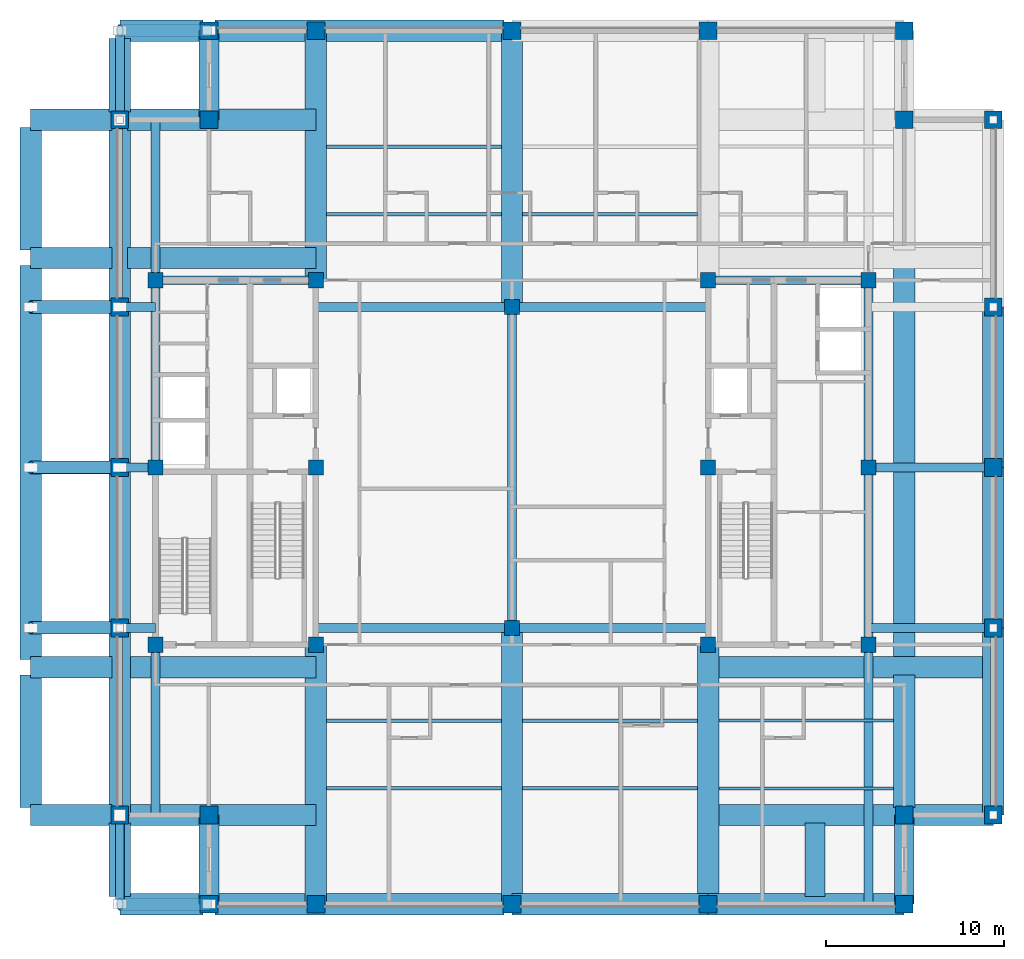
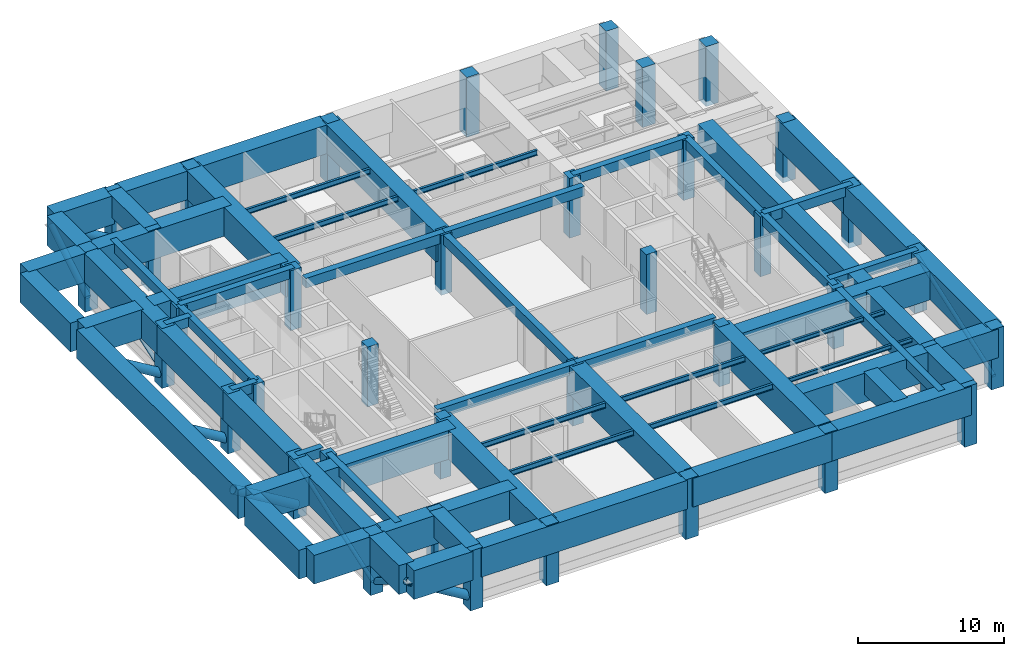
# One storey, part 1 of 11: 66 beams, 38 columns, 10 members.
"""IFC4 building model written with IfcOpenShell, lengths in metres."""

from ifc_helpers import new_model, si_unit, direction, frame, origin, origin_2d, place, context, subcontext, project, spatial, rectangle, hollow_circle, i_section, extrude, material, material_profile, profile_set, type_object, element, save


model = new_model("IFC4")

# Units and contexts
model_context = context("Model", 3, precision=1e-05, world=origin(), true_north=direction((0.0, 1.0)))
body_context = subcontext(model_context, "Body", "Model", "MODEL_VIEW")
ifc_project = project(units=[si_unit("LENGTHUNIT", "METRE"), si_unit("AREAUNIT", "SQUARE_METRE"), si_unit("VOLUMEUNIT", "CUBIC_METRE"), si_unit("PLANEANGLEUNIT", "RADIAN"), si_unit("MASSUNIT", "GRAM", prefix="KILO")], contexts=[model_context])

# Site, building, storey
site_placement = place(None, origin())
site = spatial("IfcSite", under=ifc_project, at=site_placement, CompositionType="ELEMENT")
building_placement = place(site_placement, origin())
building = spatial("IfcBuilding", under=site, at=building_placement, Name="Zulmaris Gate Convention Tower", CompositionType="ELEMENT")
storey_placement = place(building_placement, frame((0.0, 0.0, 186.4599609375)))
storey = spatial("IfcBuildingStorey", under=building, at=storey_placement, Name="L48", CompositionType="ELEMENT", Elevation=186.4599609375)

# Columns
ifc_material_1 = material(Name="Concrete C60/75", Category="concrete")
ifc_material_profile_1 = material_profile(ifc_material_1, rectangle(XDim=1.0, YDim=1.0, at=origin_2d()), Name="RC COL 1000x1000")
ifc_profile_set_1 = profile_set([ifc_material_profile_1], Name="Concrete C60/75")
column_type_1 = type_object("IfcColumnType", Name="COL-RC1000", PredefinedType="COLUMN", material=ifc_profile_set_1)
for number, where, z_axis, x_axis, name in (
    (1, (-17.0, -24.5, -0.425048828125), (0.0, 0.0, 1.0), (1.0, 0.0, 0.0), "L48 Column PT--17.00_-24.50"),
    (2, (-11.0, -24.5, -0.425048828125), (0.0, 0.0, 1.0), (1.0, 0.0, 0.0), "L48 Column PT--11.00_-24.50"),
    (3, (0.0, -24.5, -0.425048828125), (0.0, 0.0, 1.0), (1.0, 0.0, 0.0), "L48 Column PT-+0.00_-24.50"),
    (4, (11.0, -24.5, -0.425048828125), (0.0, 0.0, 1.0), (1.0, 0.0, 0.0), "L48 Column PT-+11.00_-24.50"),
    (5, (22.0, -24.5, -0.425048828125), (0.0, 0.0, 1.0), (1.0, 0.0, 0.0), "L48 Column PT-+22.00_-24.50"),
    (6, (-17.0, 24.5, -0.425048828125), (0.0, 0.0, 1.0), (1.0, 0.0, 0.0), "L48 Column PT--17.00_+24.50"),
    (7, (-11.0, 24.5, -0.425048828125), (0.0, 0.0, 1.0), (1.0, 0.0, 0.0), "L48 Column PT--11.00_+24.50"),
    (8, (0.0, 24.5, -0.425048828125), (0.0, 0.0, 1.0), (1.0, 0.0, 0.0), "L48 Column PT-+0.00_+24.50"),
    (9, (11.0, 24.5, -0.425048828125), (0.0, 0.0, 1.0), (1.0, 0.0, 0.0), "L48 Column PT-+11.00_+24.50"),
    (10, (22.0, 24.5, -0.425048828125), (0.0, 0.0, 1.0), (1.0, 0.0, 0.0), "L48 Column PT-+22.00_+24.50"),
    (11, (-22.0, -19.5, -0.425048828125), (0.0, 0.0, 1.0), (1.0, 0.0, 0.0), "L48 Column PT--22.00_-19.50"),
    (12, (-22.0, -9.0, -0.425048828125), (0.0, 0.0, 1.0), (1.0, 0.0, 0.0), "L48 Column PT--22.00_-9.00"),
    (13, (-22.0, 0.0, -0.425048828125), (0.0, 0.0, 1.0), (1.0, 0.0, 0.0), "L48 Column PT--22.00_+0.00"),
    (14, (-22.0, 9.0, -0.425048828125), (0.0, 0.0, 1.0), (1.0, 0.0, 0.0), "L48 Column PT--22.00_+9.00"),
    (15, (-22.0, 19.5, -0.425048828125), (0.0, 0.0, 1.0), (1.0, 0.0, 0.0), "L48 Column PT--22.00_+19.50"),
    (16, (27.0, -19.5, -0.425048828125), (0.0, 0.0, 1.0), (1.0, 0.0, 0.0), "L48 Column PT-+27.00_-19.50"),
    (17, (27.0, -9.0, -0.425048828125), (0.0, 0.0, 1.0), (1.0, 0.0, 0.0), "L48 Column PT-+27.00_-9.00"),
    (18, (27.0, 0.0, -0.425048828125), (0.0, 0.0, 1.0), (1.0, 0.0, 0.0), "L48 Column PT-+27.00_+0.00"),
    (19, (27.0, 9.0, -0.425048828125), (0.0, 0.0, 1.0), (1.0, 0.0, 0.0), "L48 Column PT-+27.00_+9.00"),
    (20, (27.0, 19.5, -0.425048828125), (0.0, 0.0, 1.0), (1.0, 0.0, 0.0), "L48 Column PT-+27.00_+19.50"),
    (21, (-17.0, -19.5, -0.425048828125), (0.0, 0.0, 1.0), (1.0, 0.0, 0.0), "L48 Column PT--17.00_-19.50"),
    (22, (22.0, -19.5, -0.425048828125), (0.0, 0.0, 1.0), (1.0, 0.0, 0.0), "L48 Column PT-+22.00_-19.50"),
    (23, (22.0, 19.5, -0.425048828125), (0.0, 0.0, 1.0), (1.0, 0.0, 0.0), "L48 Column PT-+22.00_+19.50"),
    (24, (-17.0, 19.5, -0.425048828125), (0.0, 0.0, 1.0), (1.0, 0.0, 0.0), "L48 Column PT--17.00_+19.50"),
):
    element("IfcColumn", number, at=place(storey_placement, frame(where, z_axis=z_axis, x_axis=x_axis)), inside=storey, type_object=column_type_1, Name=name, PredefinedType="COLUMN", context=body_context, shape_type="SweptSolid", body=[
        extrude(rectangle(XDim=1.0, YDim=1.0, at=origin_2d()), origin(), (0.0, 0.0, 1.0), 5.0),
    ])
ifc_material_profile_2 = material_profile(ifc_material_1, rectangle(XDim=0.85009765625, YDim=0.85009765625, at=origin_2d()), Name="RC COL 850x850")
ifc_profile_set_2 = profile_set([ifc_material_profile_2], Name="Concrete C60/75")
column_type_2 = type_object("IfcColumnType", Name="COL-RC850", PredefinedType="COLUMN", material=ifc_profile_set_2)
for number, where, z_axis, x_axis, name in (
    (25, (-20.0, -9.949951171875, -0.425048828125), (0.0, 0.0, 1.0), (1.0, 0.0, 0.0), "L48 Column IN--20.00_-9.95"),
    (26, (-20.0, 10.5, -0.425048828125), (0.0, 0.0, 1.0), (1.0, 0.0, 0.0), "L48 Column IN--20.00_+10.50"),
    (27, (-11.0, -9.949951171875, -0.425048828125), (0.0, 0.0, 1.0), (1.0, 0.0, 0.0), "L48 Column IN--11.00_-9.95"),
    (28, (-11.0, 0.0, -0.425048828125), (0.0, 0.0, 1.0), (1.0, 0.0, 0.0), "L48 Column IN--11.00_+0.00"),
    (29, (-11.0, 10.5, -0.425048828125), (0.0, 0.0, 1.0), (1.0, 0.0, 0.0), "L48 Column IN--11.00_+10.50"),
    (30, (11.0, -9.949951171875, -0.425048828125), (0.0, 0.0, 1.0), (1.0, 0.0, 0.0), "L48 Column IN-+11.00_-9.95"),
    (31, (11.0, 0.0, -0.425048828125), (0.0, 0.0, 1.0), (1.0, 0.0, 0.0), "L48 Column IN-+11.00_+0.00"),
    (32, (11.0, 10.5, -0.425048828125), (0.0, 0.0, 1.0), (1.0, 0.0, 0.0), "L48 Column IN-+11.00_+10.50"),
    (33, (20.0, -9.949951171875, -0.425048828125), (0.0, 0.0, 1.0), (1.0, 0.0, 0.0), "L48 Column IN-+20.00_-9.95"),
    (34, (20.0, 10.5, -0.425048828125), (0.0, 0.0, 1.0), (1.0, 0.0, 0.0), "L48 Column IN-+20.00_+10.50"),
    (35, (0.0, -9.0, -0.425048828125), (0.0, 0.0, 1.0), (1.0, 0.0, 0.0), "L48 Column IN-+0.00_-9.00"),
    (36, (0.0, 9.0, -0.425048828125), (0.0, 0.0, 1.0), (1.0, 0.0, 0.0), "L48 Column IN-+0.00_+9.00"),
    (37, (-20.0, 0.0, -0.425048828125), (0.0, 0.0, 1.0), (1.0, 0.0, 0.0), "L48 Column IN--20.00_+0.00"),
    (38, (20.0, 0.0, -0.425048828125), (0.0, 0.0, 1.0), (1.0, 0.0, 0.0), "L48 Column IN-+20.00_+0.00"),
):
    element("IfcColumn", number, at=place(storey_placement, frame(where, z_axis=z_axis, x_axis=x_axis)), inside=storey, type_object=column_type_2, Name=name, PredefinedType="COLUMN", context=body_context, shape_type="SweptSolid", body=[
        extrude(rectangle(XDim=0.85009765625, YDim=0.85009765625, at=origin_2d()), origin(), (0.0, 0.0, 1.0), 5.0),
    ])

# Beams
ifc_material_2 = material(Name="Concrete C50/60", Category="concrete")
ifc_material_profile_3 = material_profile(ifc_material_2, rectangle(XDim=0.5, YDim=0.800048828125, at=origin_2d()), Name="RC BEAM 500x800")
ifc_profile_set_3 = profile_set([ifc_material_profile_3], Name="Concrete C50/60")
beam_type_1 = type_object("IfcBeamType", Name="BM-RC500x800", PredefinedType="BEAM", material=ifc_profile_set_3)
for number, where, z_axis, x_axis, name in (
    (39, (-11.0, -9.0, 4.175048828125), (1.0, 0.0, 0.0), (0.0, 1.0, 0.0), "L48 Beam BM-L48-G01"),
    (40, (0.0, -9.0, 4.175048828125), (1.0, 0.0, 0.0), (0.0, 1.0, 0.0), "L48 Beam BM-L48-G02"),
    (41, (-11.0, 9.0, 4.175048828125), (1.0, 0.0, 0.0), (0.0, 1.0, 0.0), "L48 Beam BM-L48-G03"),
    (42, (0.0, 9.0, 4.175048828125), (1.0, 0.0, 0.0), (0.0, 1.0, 0.0), "L48 Beam BM-L48-G04"),
):
    element("IfcBeam", number, at=place(storey_placement, frame(where, z_axis=z_axis, x_axis=x_axis)), inside=storey, type_object=beam_type_1, Name=name, PredefinedType="BEAM", context=body_context, shape_type="SweptSolid", body=[
        extrude(rectangle(XDim=0.5, YDim=0.800048828125, at=origin_2d()), origin(), (0.0, 0.0, 1.0), 11.0),
    ])
beam_1_placement = place(storey_placement, frame((0.0, -9.0, 4.175048828125), z_axis=(0.0, 1.0, 0.0), x_axis=(-1.0, 0.0, 0.0)))
element("IfcBeam", 43, at=beam_1_placement, inside=storey, type_object=beam_type_1, Name="L48 Beam BM-L48-G06", PredefinedType="BEAM", context=body_context, shape_type="SweptSolid", body=[
    extrude(rectangle(XDim=0.5, YDim=0.800048828125, at=origin_2d()), origin(), (0.0, 0.0, 1.0), 18.0),
])
beam_2_placement = place(storey_placement, frame((-20.0, -19.5, 4.175048828125), z_axis=(0.0, 1.0, 0.0), x_axis=(-1.0, 0.0, 0.0)))
element("IfcBeam", 44, at=beam_2_placement, inside=storey, type_object=beam_type_1, Name="L48 Beam BM-L48-G12", PredefinedType="BEAM", context=body_context, shape_type="SweptSolid", body=[
    extrude(rectangle(XDim=0.5, YDim=0.800048828125, at=origin_2d()), origin(), (0.0, 0.0, 1.0), 9.550048828125),
])
beam_3_placement = place(storey_placement, frame((-20.0, 10.5, 4.175048828125), z_axis=(0.0, 1.0, 0.0), x_axis=(-1.0, 0.0, 0.0)))
element("IfcBeam", 45, at=beam_3_placement, inside=storey, type_object=beam_type_1, Name="L48 Beam BM-L48-G13", PredefinedType="BEAM", context=body_context, shape_type="SweptSolid", body=[
    extrude(rectangle(XDim=0.5, YDim=0.800048828125, at=origin_2d()), origin(), (0.0, 0.0, 1.0), 9.0),
])
beam_4_placement = place(storey_placement, frame((20.0, -24.5, 4.175048828125), z_axis=(0.0, 1.0, 0.0), x_axis=(-1.0, 0.0, 0.0)))
element("IfcBeam", 46, at=beam_4_placement, inside=storey, type_object=beam_type_1, Name="L48 Beam BM-L48-G14", PredefinedType="BEAM", context=body_context, shape_type="SweptSolid", body=[
    extrude(rectangle(XDim=0.5, YDim=0.800048828125, at=origin_2d()), origin(), (0.0, 0.0, 1.0), 14.550048828125),
])
for number, where, z_axis, x_axis, name in (
    (47, (-22.0, -9.0, 4.175048828125), (1.0, 0.0, 0.0), (0.0, 1.0, 0.0), "L48 Beam BM-L48-G16"),
    (48, (-22.0, 0.0, 4.175048828125), (1.0, 0.0, 0.0), (0.0, 1.0, 0.0), "L48 Beam BM-L48-G17"),
    (49, (-22.0, 9.0, 4.175048828125), (1.0, 0.0, 0.0), (0.0, 1.0, 0.0), "L48 Beam BM-L48-G18"),
):
    element("IfcBeam", number, at=place(storey_placement, frame(where, z_axis=z_axis, x_axis=x_axis)), inside=storey, type_object=beam_type_1, Name=name, PredefinedType="BEAM", context=body_context, shape_type="SweptSolid", body=[
        extrude(rectangle(XDim=0.5, YDim=0.800048828125, at=origin_2d()), origin(), (0.0, 0.0, 1.0), 2.0),
    ])
for number, where, z_axis, x_axis, name in (
    (50, (20.0, -9.0, 4.175048828125), (1.0, 0.0, 0.0), (0.0, 1.0, 0.0), "L48 Beam BM-L48-G19"),
    (51, (20.0, 0.0, 4.175048828125), (1.0, 0.0, 0.0), (0.0, 1.0, 0.0), "L48 Beam BM-L48-G20"),
):
    element("IfcBeam", number, at=place(storey_placement, frame(where, z_axis=z_axis, x_axis=x_axis)), inside=storey, type_object=beam_type_1, Name=name, PredefinedType="BEAM", context=body_context, shape_type="SweptSolid", body=[
        extrude(rectangle(XDim=0.5, YDim=0.800048828125, at=origin_2d()), origin(), (0.0, 0.0, 1.0), 7.0),
    ])
for number, where, z_axis, x_axis, name in (
    (52, (-20.0, 10.5, 4.175048828125), (1.0, 0.0, 0.0), (0.0, 1.0, 0.0), "L48 Beam BM-L48-G23"),
    (53, (11.0, 10.5, 4.175048828125), (1.0, 0.0, 0.0), (0.0, 1.0, 0.0), "L48 Beam BM-L48-G25"),
):
    element("IfcBeam", number, at=place(storey_placement, frame(where, z_axis=z_axis, x_axis=x_axis)), inside=storey, type_object=beam_type_1, Name=name, PredefinedType="BEAM", context=body_context, shape_type="SweptSolid", body=[
        extrude(rectangle(XDim=0.5, YDim=0.800048828125, at=origin_2d()), origin(), (0.0, 0.0, 1.0), 9.0),
    ])
beam_5_placement = place(storey_placement, frame((-20.0, 0.0, 4.175048828125), z_axis=(0.0, 1.0, 0.0), x_axis=(-1.0, 0.0, 0.0)))
element("IfcBeam", 54, at=beam_5_placement, inside=storey, type_object=beam_type_1, Name="L48 Beam BM-L48-G27", PredefinedType="BEAM", context=body_context, shape_type="SweptSolid", body=[
    extrude(rectangle(XDim=0.5, YDim=0.800048828125, at=origin_2d()), origin(), (0.0, 0.0, 1.0), 10.5),
])
beam_6_placement = place(storey_placement, frame((20.0, -9.949951171875, 4.175048828125), z_axis=(0.0, 1.0, 0.0), x_axis=(-1.0, 0.0, 0.0)))
element("IfcBeam", 55, at=beam_6_placement, inside=storey, type_object=beam_type_1, Name="L48 Beam BM-L48-G28", PredefinedType="BEAM", context=body_context, shape_type="SweptSolid", body=[
    extrude(rectangle(XDim=0.5, YDim=0.800048828125, at=origin_2d()), origin(), (0.0, 0.0, 1.0), 9.949951171875),
])
beam_7_placement = place(storey_placement, frame((20.0, 0.0, 4.175048828125), z_axis=(0.0, 1.0, 0.0), x_axis=(-1.0, 0.0, 0.0)))
element("IfcBeam", 56, at=beam_7_placement, inside=storey, type_object=beam_type_1, Name="L48 Beam BM-L48-G29", PredefinedType="BEAM", context=body_context, shape_type="SweptSolid", body=[
    extrude(rectangle(XDim=0.5, YDim=0.800048828125, at=origin_2d()), origin(), (0.0, 0.0, 1.0), 10.5),
])
ifc_material_3 = material(Name="Concrete C80/95", Category="concrete")
ifc_material_profile_4 = material_profile(ifc_material_3, rectangle(XDim=1.10009765625, YDim=1.800048828125, at=origin_2d()), Name="RC TRANSFER 1100x1800")
ifc_profile_set_4 = profile_set([ifc_material_profile_4], Name="Concrete C80/95")
beam_type_2 = type_object("IfcBeamType", Name="BM-XFER1800", PredefinedType="BEAM", material=ifc_profile_set_4)
for number, where, z_axis, x_axis, name in (
    (57, (-17.0, -24.5, 3.675048828125), (0.0, 1.0, 0.0), (-1.0, 0.0, 0.0), "L48 Beam XFCOLV-L48-CXWS"),
    (58, (-17.0, 19.5, 3.675048828125), (0.0, 1.0, 0.0), (-1.0, 0.0, 0.0), "L48 Beam XFCOLV-L48-CXWN"),
    (59, (22.0, -24.5, 3.675048828125), (0.0, 1.0, 0.0), (-1.0, 0.0, 0.0), "L48 Beam XFCOLV-L48-CXES"),
):
    element("IfcBeam", number, at=place(storey_placement, frame(where, z_axis=z_axis, x_axis=x_axis)), inside=storey, type_object=beam_type_2, Name=name, PredefinedType="BEAM", context=body_context, shape_type="SweptSolid", body=[
        extrude(rectangle(XDim=1.10009765625, YDim=1.800048828125, at=origin_2d()), origin(), (0.0, 0.0, 1.0), 5.0),
    ])
beam_8_placement = place(storey_placement, frame((17.0, -24.06494140625, 3.675048828125), z_axis=(0.0, 1.0, 0.0), x_axis=(-1.0, 0.0, 0.0)))
element("IfcBeam", 60, at=beam_8_placement, inside=storey, type_object=beam_type_2, Name="L48 Beam XFNCH-L48-EC--19.5", PredefinedType="BEAM", context=body_context, shape_type="SweptSolid", body=[
    extrude(rectangle(XDim=1.10009765625, YDim=1.800048828125, at=origin_2d()), origin(), (0.0, 0.0, 1.0), 4.1298828125),
])
ifc_material_profile_5 = material_profile(ifc_material_3, rectangle(XDim=1.199951171875, YDim=2.39990234375, at=origin_2d()), Name="RC TRANSFER 1200x2400")
ifc_profile_set_5 = profile_set([ifc_material_profile_5], Name="Concrete C80/95")
beam_type_3 = type_object("IfcBeamType", Name="BM-XFER2400", PredefinedType="BEAM", material=ifc_profile_set_5)
beam_9_placement = place(storey_placement, frame((-22.0, -19.5, 3.375), z_axis=(0.0, 1.0, 0.0), x_axis=(-1.0, 0.0, 0.0)))
element("IfcBeam", 61, at=beam_9_placement, inside=storey, type_object=beam_type_3, Name="L48 Beam XFCOLV-L48-XWS", PredefinedType="BEAM", context=body_context, shape_type="SweptSolid", body=[
    extrude(rectangle(XDim=1.199951171875, YDim=2.39990234375, at=origin_2d()), origin(), (0.0, 0.0, 1.0), 10.5),
])
for number, where, z_axis, x_axis, name in (
    (62, (-22.0, -9.0, 3.375), (0.0, 1.0, 0.0), (-1.0, 0.0, 0.0), "L48 Beam XFCOLV-L48-XWM1"),
    (63, (-22.0, 0.0, 3.375), (0.0, 1.0, 0.0), (-1.0, 0.0, 0.0), "L48 Beam XFCOLV-L48-XWM2"),
):
    element("IfcBeam", number, at=place(storey_placement, frame(where, z_axis=z_axis, x_axis=x_axis)), inside=storey, type_object=beam_type_3, Name=name, PredefinedType="BEAM", context=body_context, shape_type="SweptSolid", body=[
        extrude(rectangle(XDim=1.199951171875, YDim=2.39990234375, at=origin_2d()), origin(), (0.0, 0.0, 1.0), 9.0),
    ])
for number, where, z_axis, x_axis, name in (
    (64, (-22.0, 9.0, 3.375), (0.0, 1.0, 0.0), (-1.0, 0.0, 0.0), "L48 Beam XFCOLV-L48-XWN"),
    (65, (27.0, -19.5, 3.375), (0.0, 1.0, 0.0), (-1.0, 0.0, 0.0), "L48 Beam XFCOLV-L48-XES"),
):
    element("IfcBeam", number, at=place(storey_placement, frame(where, z_axis=z_axis, x_axis=x_axis)), inside=storey, type_object=beam_type_3, Name=name, PredefinedType="BEAM", context=body_context, shape_type="SweptSolid", body=[
        extrude(rectangle(XDim=1.199951171875, YDim=2.39990234375, at=origin_2d()), origin(), (0.0, 0.0, 1.0), 10.5),
    ])
for number, where, z_axis, x_axis, name in (
    (66, (27.0, -9.0, 3.375), (0.0, 1.0, 0.0), (-1.0, 0.0, 0.0), "L48 Beam XFCOLV-L48-XEM1"),
    (67, (27.0, 0.0, 3.375), (0.0, 1.0, 0.0), (-1.0, 0.0, 0.0), "L48 Beam XFCOLV-L48-XEM2"),
):
    element("IfcBeam", number, at=place(storey_placement, frame(where, z_axis=z_axis, x_axis=x_axis)), inside=storey, type_object=beam_type_3, Name=name, PredefinedType="BEAM", context=body_context, shape_type="SweptSolid", body=[
        extrude(rectangle(XDim=1.199951171875, YDim=2.39990234375, at=origin_2d()), origin(), (0.0, 0.0, 1.0), 9.0),
    ])
beam_10_placement = place(storey_placement, frame((-11.0, -24.5, 3.375), z_axis=(0.0, 1.0, 0.0), x_axis=(-1.0, 0.0, 0.0)))
element("IfcBeam", 68, at=beam_10_placement, inside=storey, type_object=beam_type_3, Name="L48 Beam XFCOLV-L48-C11WS", PredefinedType="BEAM", context=body_context, shape_type="SweptSolid", body=[
    extrude(rectangle(XDim=1.199951171875, YDim=2.39990234375, at=origin_2d()), origin(), (0.0, 0.0, 1.0), 14.550048828125),
])
beam_11_placement = place(storey_placement, frame((-11.0, 10.5, 3.375), z_axis=(0.0, 1.0, 0.0), x_axis=(-1.0, 0.0, 0.0)))
element("IfcBeam", 69, at=beam_11_placement, inside=storey, type_object=beam_type_3, Name="L48 Beam XFCOLV-L48-C11WN", PredefinedType="BEAM", context=body_context, shape_type="SweptSolid", body=[
    extrude(rectangle(XDim=1.199951171875, YDim=2.39990234375, at=origin_2d()), origin(), (0.0, 0.0, 1.0), 14.0),
])
beam_12_placement = place(storey_placement, frame((11.0, -24.5, 3.375), z_axis=(0.0, 1.0, 0.0), x_axis=(-1.0, 0.0, 0.0)))
element("IfcBeam", 70, at=beam_12_placement, inside=storey, type_object=beam_type_3, Name="L48 Beam XFCOLV-L48-C11ES", PredefinedType="BEAM", context=body_context, shape_type="SweptSolid", body=[
    extrude(rectangle(XDim=1.199951171875, YDim=2.39990234375, at=origin_2d()), origin(), (0.0, 0.0, 1.0), 14.550048828125),
])
for number, where, z_axis, x_axis, name in (
    (71, (0.0, -24.5, 3.375), (0.0, 1.0, 0.0), (-1.0, 0.0, 0.0), "L48 Beam XFCOLV-L48-C0S"),
    (72, (0.0, 9.0, 3.375), (0.0, 1.0, 0.0), (-1.0, 0.0, 0.0), "L48 Beam XFCOLV-L48-C0N"),
):
    element("IfcBeam", number, at=place(storey_placement, frame(where, z_axis=z_axis, x_axis=x_axis)), inside=storey, type_object=beam_type_3, Name=name, PredefinedType="BEAM", context=body_context, shape_type="SweptSolid", body=[
        extrude(rectangle(XDim=1.199951171875, YDim=2.39990234375, at=origin_2d()), origin(), (0.0, 0.0, 1.0), 15.5),
    ])
beam_13_placement = place(storey_placement, frame((-21.56494140625, -19.5, 3.375), z_axis=(1.0, 0.0, 0.0), x_axis=(0.0, 1.0, 0.0)))
element("IfcBeam", 73, at=beam_13_placement, inside=storey, type_object=beam_type_3, Name="L48 Beam XFBS-L48-W--19.50", PredefinedType="BEAM", context=body_context, shape_type="SweptSolid", body=[
    extrude(rectangle(XDim=1.199951171875, YDim=2.39990234375, at=origin_2d()), origin(), (0.0, 0.0, 1.0), 10.56494140625),
])
beam_14_placement = place(storey_placement, frame((-27.0, -19.5, 3.375), z_axis=(1.0, 0.0, 0.0), x_axis=(0.0, 1.0, 0.0)))
element("IfcBeam", 74, at=beam_14_placement, inside=storey, type_object=beam_type_3, Name="L48 Beam XFSF-L48-W--19.50", PredefinedType="BEAM", context=body_context, shape_type="SweptSolid", body=[
    extrude(rectangle(XDim=1.199951171875, YDim=2.39990234375, at=origin_2d()), origin(), (0.0, 0.0, 1.0), 4.56494140625),
])
beam_15_placement = place(storey_placement, frame((-21.56494140625, -11.199951171875, 3.375), z_axis=(1.0, 0.0, 0.0), x_axis=(0.0, 1.0, 0.0)))
element("IfcBeam", 75, at=beam_15_placement, inside=storey, type_object=beam_type_3, Name="L48 Beam XFBS-L48-W--11.20", PredefinedType="BEAM", context=body_context, shape_type="SweptSolid", body=[
    extrude(rectangle(XDim=1.199951171875, YDim=2.39990234375, at=origin_2d()), origin(), (0.0, 0.0, 1.0), 10.56494140625),
])
beam_16_placement = place(storey_placement, frame((-27.0, -11.199951171875, 3.375), z_axis=(1.0, 0.0, 0.0), x_axis=(0.0, 1.0, 0.0)))
element("IfcBeam", 76, at=beam_16_placement, inside=storey, type_object=beam_type_3, Name="L48 Beam XFSF-L48-W--11.20", PredefinedType="BEAM", context=body_context, shape_type="SweptSolid", body=[
    extrude(rectangle(XDim=1.199951171875, YDim=2.39990234375, at=origin_2d()), origin(), (0.0, 0.0, 1.0), 4.56494140625),
])
beam_17_placement = place(storey_placement, frame((-21.56494140625, 11.75, 3.375), z_axis=(1.0, 0.0, 0.0), x_axis=(0.0, 1.0, 0.0)))
element("IfcBeam", 77, at=beam_17_placement, inside=storey, type_object=beam_type_3, Name="L48 Beam XFBS-L48-W-+11.75", PredefinedType="BEAM", context=body_context, shape_type="SweptSolid", body=[
    extrude(rectangle(XDim=1.199951171875, YDim=2.39990234375, at=origin_2d()), origin(), (0.0, 0.0, 1.0), 10.56494140625),
])
beam_18_placement = place(storey_placement, frame((-27.0, 11.75, 3.375), z_axis=(1.0, 0.0, 0.0), x_axis=(0.0, 1.0, 0.0)))
element("IfcBeam", 78, at=beam_18_placement, inside=storey, type_object=beam_type_3, Name="L48 Beam XFSF-L48-W-+11.75", PredefinedType="BEAM", context=body_context, shape_type="SweptSolid", body=[
    extrude(rectangle(XDim=1.199951171875, YDim=2.39990234375, at=origin_2d()), origin(), (0.0, 0.0, 1.0), 4.56494140625),
])
beam_19_placement = place(storey_placement, frame((-21.56494140625, 19.5, 3.375), z_axis=(1.0, 0.0, 0.0), x_axis=(0.0, 1.0, 0.0)))
element("IfcBeam", 79, at=beam_19_placement, inside=storey, type_object=beam_type_3, Name="L48 Beam XFBS-L48-W-+19.50", PredefinedType="BEAM", context=body_context, shape_type="SweptSolid", body=[
    extrude(rectangle(XDim=1.199951171875, YDim=2.39990234375, at=origin_2d()), origin(), (0.0, 0.0, 1.0), 10.56494140625),
])
beam_20_placement = place(storey_placement, frame((-27.0, 19.5, 3.375), z_axis=(1.0, 0.0, 0.0), x_axis=(0.0, 1.0, 0.0)))
element("IfcBeam", 80, at=beam_20_placement, inside=storey, type_object=beam_type_3, Name="L48 Beam XFSF-L48-W-+19.50", PredefinedType="BEAM", context=body_context, shape_type="SweptSolid", body=[
    extrude(rectangle(XDim=1.199951171875, YDim=2.39990234375, at=origin_2d()), origin(), (0.0, 0.0, 1.0), 4.56494140625),
])
beam_21_placement = place(storey_placement, frame((-27.0, -19.06494140625, 3.375), z_axis=(0.0, 1.0, 0.0), x_axis=(-1.0, 0.0, 0.0)))
element("IfcBeam", 81, at=beam_21_placement, inside=storey, type_object=beam_type_3, Name="L48 Beam XFEDG-L48-WS", PredefinedType="BEAM", context=body_context, shape_type="SweptSolid", body=[
    extrude(rectangle(XDim=1.199951171875, YDim=2.39990234375, at=origin_2d()), origin(), (0.0, 0.0, 1.0), 7.429931640625),
])
beam_22_placement = place(storey_placement, frame((-27.0, -10.764892578125, 3.375), z_axis=(0.0, 1.0, 0.0), x_axis=(-1.0, 0.0, 0.0)))
element("IfcBeam", 82, at=beam_22_placement, inside=storey, type_object=beam_type_3, Name="L48 Beam XFEDG-L48-WM", PredefinedType="BEAM", context=body_context, shape_type="SweptSolid", body=[
    extrude(rectangle(XDim=1.199951171875, YDim=2.39990234375, at=origin_2d()), origin(), (0.0, 0.0, 1.0), 22.079833984375),
])
beam_23_placement = place(storey_placement, frame((-27.0, 12.18505859375, 3.375), z_axis=(0.0, 1.0, 0.0), x_axis=(-1.0, 0.0, 0.0)))
element("IfcBeam", 83, at=beam_23_placement, inside=storey, type_object=beam_type_3, Name="L48 Beam XFEDG-L48-WN", PredefinedType="BEAM", context=body_context, shape_type="SweptSolid", body=[
    extrude(rectangle(XDim=1.199951171875, YDim=2.39990234375, at=origin_2d()), origin(), (0.0, 0.0, 1.0), 6.8798828125),
])
beam_24_placement = place(storey_placement, frame((-16.6650390625, -24.5, 3.375), z_axis=(1.0, 0.0, 0.0), x_axis=(0.0, 1.0, 0.0)))
element("IfcBeam", 84, at=beam_24_placement, inside=storey, type_object=beam_type_3, Name="L48 Beam XFBS-L48-WC--24.5", PredefinedType="BEAM", context=body_context, shape_type="SweptSolid", body=[
    extrude(rectangle(XDim=1.199951171875, YDim=2.39990234375, at=origin_2d()), origin(), (0.0, 0.0, 1.0), 16.22998046875),
])
beam_25_placement = place(storey_placement, frame((-22.0, -24.5, 3.375), z_axis=(1.0, 0.0, 0.0), x_axis=(0.0, 1.0, 0.0)))
element("IfcBeam", 85, at=beam_25_placement, inside=storey, type_object=beam_type_3, Name="L48 Beam XFSF-L48-WC--24.5", PredefinedType="BEAM", context=body_context, shape_type="SweptSolid", body=[
    extrude(rectangle(XDim=1.199951171875, YDim=2.39990234375, at=origin_2d()), origin(), (0.0, 0.0, 1.0), 4.6650390625),
])
beam_26_placement = place(storey_placement, frame((-16.6650390625, 24.5, 3.375), z_axis=(1.0, 0.0, 0.0), x_axis=(0.0, 1.0, 0.0)))
element("IfcBeam", 86, at=beam_26_placement, inside=storey, type_object=beam_type_3, Name="L48 Beam XFBS-L48-WC-+24.5", PredefinedType="BEAM", context=body_context, shape_type="SweptSolid", body=[
    extrude(rectangle(XDim=1.199951171875, YDim=2.39990234375, at=origin_2d()), origin(), (0.0, 0.0, 1.0), 16.22998046875),
])
beam_27_placement = place(storey_placement, frame((-22.0, 24.5, 3.375), z_axis=(1.0, 0.0, 0.0), x_axis=(0.0, 1.0, 0.0)))
element("IfcBeam", 87, at=beam_27_placement, inside=storey, type_object=beam_type_3, Name="L48 Beam XFSF-L48-WC-+24.5", PredefinedType="BEAM", context=body_context, shape_type="SweptSolid", body=[
    extrude(rectangle(XDim=1.199951171875, YDim=2.39990234375, at=origin_2d()), origin(), (0.0, 0.0, 1.0), 4.6650390625),
])
for number, where, z_axis, x_axis, name in (
    (88, (11.0, -19.5, 3.375), (1.0, 0.0, 0.0), (0.0, 1.0, 0.0), "L48 Beam XFREC-L48-E--19.50"),
    (89, (11.0, -11.199951171875, 3.375), (1.0, 0.0, 0.0), (0.0, 1.0, 0.0), "L48 Beam XFREC-L48-E--11.20"),
):
    element("IfcBeam", number, at=place(storey_placement, frame(where, z_axis=z_axis, x_axis=x_axis)), inside=storey, type_object=beam_type_3, Name=name, PredefinedType="BEAM", context=body_context, shape_type="SweptSolid", body=[
        extrude(rectangle(XDim=1.199951171875, YDim=2.39990234375, at=origin_2d()), origin(), (0.0, 0.0, 1.0), 16.0),
    ])
beam_28_placement = place(storey_placement, frame((22.0, -19.06494140625, 3.375), z_axis=(0.0, 1.0, 0.0), x_axis=(-1.0, 0.0, 0.0)))
element("IfcBeam", 90, at=beam_28_placement, inside=storey, type_object=beam_type_3, Name="L48 Beam XFEDG-L48-ES", PredefinedType="BEAM", context=body_context, shape_type="SweptSolid", body=[
    extrude(rectangle(XDim=1.199951171875, YDim=2.39990234375, at=origin_2d()), origin(), (0.0, 0.0, 1.0), 7.429931640625),
])
beam_29_placement = place(storey_placement, frame((22.0, -10.764892578125, 3.375), z_axis=(0.0, 1.0, 0.0), x_axis=(-1.0, 0.0, 0.0)))
element("IfcBeam", 91, at=beam_29_placement, inside=storey, type_object=beam_type_3, Name="L48 Beam XFEDG-L48-EM", PredefinedType="BEAM", context=body_context, shape_type="SweptSolid", body=[
    extrude(rectangle(XDim=1.199951171875, YDim=2.39990234375, at=origin_2d()), origin(), (0.0, 0.0, 1.0), 22.079833984375),
])
for number, where, z_axis, x_axis, name in (
    (92, (11.0, -24.5, 3.375), (1.0, 0.0, 0.0), (0.0, 1.0, 0.0), "L48 Beam XFREC-L48-EC--24.5"),
    (93, (0.0, -24.5, 3.375), (1.0, 0.0, 0.0), (0.0, 1.0, 0.0), "L48 Beam XFREC-L48-M2--24.5"),
):
    element("IfcBeam", number, at=place(storey_placement, frame(where, z_axis=z_axis, x_axis=x_axis)), inside=storey, type_object=beam_type_3, Name=name, PredefinedType="BEAM", context=body_context, shape_type="SweptSolid", body=[
        extrude(rectangle(XDim=1.199951171875, YDim=2.39990234375, at=origin_2d()), origin(), (0.0, 0.0, 1.0), 11.0),
    ])
for number, where, z_axis, x_axis, name in (
    (94, (-22.0, -24.06494140625, 3.375), (0.0, 1.0, 0.0), (-1.0, 0.0, 0.0), "L48 Beam XFNCH-L48-WC--19.5"),
    (95, (-22.0, 19.93505859375, 3.375), (0.0, 1.0, 0.0), (-1.0, 0.0, 0.0), "L48 Beam XFNCH-L48-WC-+19.5"),
):
    element("IfcBeam", number, at=place(storey_placement, frame(where, z_axis=z_axis, x_axis=x_axis)), inside=storey, type_object=beam_type_3, Name=name, PredefinedType="BEAM", context=body_context, shape_type="SweptSolid", body=[
        extrude(rectangle(XDim=1.199951171875, YDim=2.39990234375, at=origin_2d()), origin(), (0.0, 0.0, 1.0), 4.1298828125),
    ])

# Members
ifc_material_4 = material(Name="Steel S355", Category="steel")
ifc_material_profile_6 = material_profile(ifc_material_4, hollow_circle(Radius=0.161865234375, WallThickness=0.01611328125, at=origin_2d()), Name="CHS 323.9x16")
ifc_profile_set_6 = profile_set([ifc_material_profile_6], Name="Steel S355")
member_type_1 = type_object("IfcMemberType", Name="BR-CHS324", PredefinedType="BRACE", material=ifc_profile_set_6)
for number, where, z_axis, x_axis, name in (
    (96, (-22.0, -19.5, 0.300048828125), (0.0, 0.944417079225, 0.328749723146), (-1.0, 0.0, 0.0), "L48 Perimeter Tube Diagonal SW-W"),
    (97, (-22.0, 9.0, 0.300048828125), (0.0, 0.944417079225, 0.328749723146), (-1.0, 0.0, 0.0), "L48 Perimeter Tube Diagonal NW-W"),
    (98, (27.0, -19.5, 0.300048828125), (0.0, 0.944417079225, 0.328749723146), (-1.0, 0.0, 0.0), "L48 Perimeter Tube Diagonal SE-E"),
):
    element("IfcMember", number, at=place(storey_placement, frame(where, z_axis=z_axis, x_axis=x_axis)), inside=storey, type_object=member_type_1, Name=name, PredefinedType="BRACE", context=body_context, shape_type="SweptSolid", body=[
        extrude(hollow_circle(Radius=0.161865234375, WallThickness=0.01611328125, at=origin_2d()), origin(), (0.0, 0.0, 1.0), 11.117919921875),
    ])
ifc_material_5 = material(Name="Steel S460", Category="steel")
ifc_material_profile_7 = material_profile(ifc_material_5, hollow_circle(Radius=0.25390625, WallThickness=0.02490234375, at=origin_2d()), Name="CHS 508x25")
ifc_profile_set_7 = profile_set([ifc_material_profile_7], Name="Steel S460")
member_type_2 = type_object("IfcMemberType", Name="BR-CHS508", PredefinedType="BRACE", material=ifc_profile_set_7)
for number, where, z_axis, x_axis, name in (
    (99, (-22.0, -19.5, 0.35009765625), (0.0, -0.855607204718, 0.517625647776), (1.0, 0.0, 0.0), "L48 Shifted Block Notch Web Strut WC -24.5"),
    (100, (-22.0, 19.5, 0.35009765625), (0.0, 0.855607204718, 0.517625647776), (-1.0, 0.0, 0.0), "L48 Shifted Block Notch Web Strut WC +24.5"),
):
    element("IfcMember", number, at=place(storey_placement, frame(where, z_axis=z_axis, x_axis=x_axis)), inside=storey, type_object=member_type_2, Name=name, PredefinedType="BRACE", context=body_context, shape_type="SweptSolid", body=[
        extrude(hollow_circle(Radius=0.25390625, WallThickness=0.02490234375, at=origin_2d()), origin(), (0.0, 0.0, 1.0), 5.84375),
    ])
ifc_material_profile_8 = material_profile(ifc_material_5, hollow_circle(Radius=0.35546875, WallThickness=0.035888671875, at=origin_2d()), Name="CHS 711x36")
ifc_profile_set_8 = profile_set([ifc_material_profile_8], Name="Steel S460")
member_type_3 = type_object("IfcMemberType", Name="BR-CHS711", PredefinedType="BRACE", material=ifc_profile_set_8)
for number, where, z_axis, x_axis, name in (
    (101, (-22.0, -9.0, 0.35009765625), (-0.855607204718, 0.0, 0.517625647776), (0.0, -1.0, 0.0), "L48 Shifted Block Transfer Raking Strut W -9.0"),
    (102, (-22.0, 0.0, 0.35009765625), (-0.855607204718, 0.0, 0.517625647776), (0.0, -1.0, 0.0), "L48 Shifted Block Transfer Raking Strut W +0.0"),
    (103, (-22.0, 9.0, 0.35009765625), (-0.855607204718, 0.0, 0.517625647776), (0.0, -1.0, 0.0), "L48 Shifted Block Transfer Raking Strut W +9.0"),
    (104, (-17.0, -24.5, 0.35009765625), (-0.855607204718, 0.0, 0.517625647776), (0.0, -1.0, 0.0), "L48 Shifted Block Corner Raking Strut WC -24.5"),
    (105, (-17.0, 24.5, 0.35009765625), (-0.855607204718, 0.0, 0.517625647776), (0.0, -1.0, 0.0), "L48 Shifted Block Corner Raking Strut WC +24.5"),
):
    element("IfcMember", number, at=place(storey_placement, frame(where, z_axis=z_axis, x_axis=x_axis)), inside=storey, type_object=member_type_3, Name=name, PredefinedType="BRACE", context=body_context, shape_type="SweptSolid", body=[
        extrude(hollow_circle(Radius=0.35546875, WallThickness=0.035888671875, at=origin_2d()), origin(), (0.0, 0.0, 1.0), 5.84375),
    ])

# Beams
ifc_material_profile_9 = material_profile(ifc_material_4, i_section(OverallWidth=0.169921875, OverallDepth=0.360107421875, WebThickness=0.008056640625, FlangeThickness=0.0126953125, FilletRadius=0.01806640625, at=origin_2d()), Name="IPE 360")
ifc_profile_set_9 = profile_set([ifc_material_profile_9], Name="Steel S355")
beam_type_4 = type_object("IfcBeamType", Name="JT-IPE360", PredefinedType="JOIST", material=ifc_profile_set_9)
for number, where, z_axis, x_axis, name in (
    (106, (11.60009765625, -18.0, 4.39306640625), (1.0, 0.0, 0.0), (0.0, 1.0, 0.0), "L48 Joist JT-L48-NE--18.0"),
    (107, (11.60009765625, -14.199951171875, 4.39306640625), (1.0, 0.0, 0.0), (0.0, 1.0, 0.0), "L48 Joist JT-L48-NE--14.2"),
):
    element("IfcBeam", number, at=place(storey_placement, frame(where, z_axis=z_axis, x_axis=x_axis)), inside=storey, type_object=beam_type_4, Name=name, PredefinedType="JOIST", context=body_context, shape_type="SweptSolid", body=[
        extrude(i_section(OverallWidth=0.169921875, OverallDepth=0.360107421875, WebThickness=0.008056640625, FlangeThickness=0.0126953125, FilletRadius=0.01806640625, at=origin_2d()), origin(), (0.0, 0.0, 1.0), 9.7998046875),
    ])
ifc_material_profile_10 = material_profile(ifc_material_4, i_section(OverallWidth=0.18994140625, OverallDepth=0.449951171875, WebThickness=0.009521484375, FlangeThickness=0.0146484375, FilletRadius=0.02099609375, at=origin_2d()), Name="IPE 450")
ifc_profile_set_10 = profile_set([ifc_material_profile_10], Name="Steel S355")
beam_type_5 = type_object("IfcBeamType", Name="JT-IPE450", PredefinedType="JOIST", material=ifc_profile_set_10)
for number, where, z_axis, x_axis, name in (
    (108, (-10.39990234375, -18.0, 4.34814453125), (1.0, 0.0, 0.0), (0.0, 1.0, 0.0), "L48 Joist JT-L48-CW--18.0"),
    (109, (0.60009765625, -18.0, 4.34814453125), (1.0, 0.0, 0.0), (0.0, 1.0, 0.0), "L48 Joist JT-L48-CE--18.0"),
    (110, (-10.39990234375, -14.199951171875, 4.34814453125), (1.0, 0.0, 0.0), (0.0, 1.0, 0.0), "L48 Joist JT-L48-CW--14.2"),
    (111, (0.60009765625, -14.199951171875, 4.34814453125), (1.0, 0.0, 0.0), (0.0, 1.0, 0.0), "L48 Joist JT-L48-CE--14.2"),
    (112, (-10.39990234375, 14.199951171875, 4.34814453125), (1.0, 0.0, 0.0), (0.0, 1.0, 0.0), "L48 Joist JT-L48-CW-+14.2"),
    (113, (0.60009765625, 14.199951171875, 4.34814453125), (1.0, 0.0, 0.0), (0.0, 1.0, 0.0), "L48 Joist JT-L48-CE-+14.2"),
    (114, (-10.39990234375, 18.0, 4.34814453125), (1.0, 0.0, 0.0), (0.0, 1.0, 0.0), "L48 Joist JT-L48-CW-+18.0"),
):
    element("IfcBeam", number, at=place(storey_placement, frame(where, z_axis=z_axis, x_axis=x_axis)), inside=storey, type_object=beam_type_5, Name=name, PredefinedType="JOIST", context=body_context, shape_type="SweptSolid", body=[
        extrude(i_section(OverallWidth=0.18994140625, OverallDepth=0.449951171875, WebThickness=0.009521484375, FlangeThickness=0.0146484375, FilletRadius=0.02099609375, at=origin_2d()), origin(), (0.0, 0.0, 1.0), 9.7998046875),
    ])

save(model, "model.ifc")
